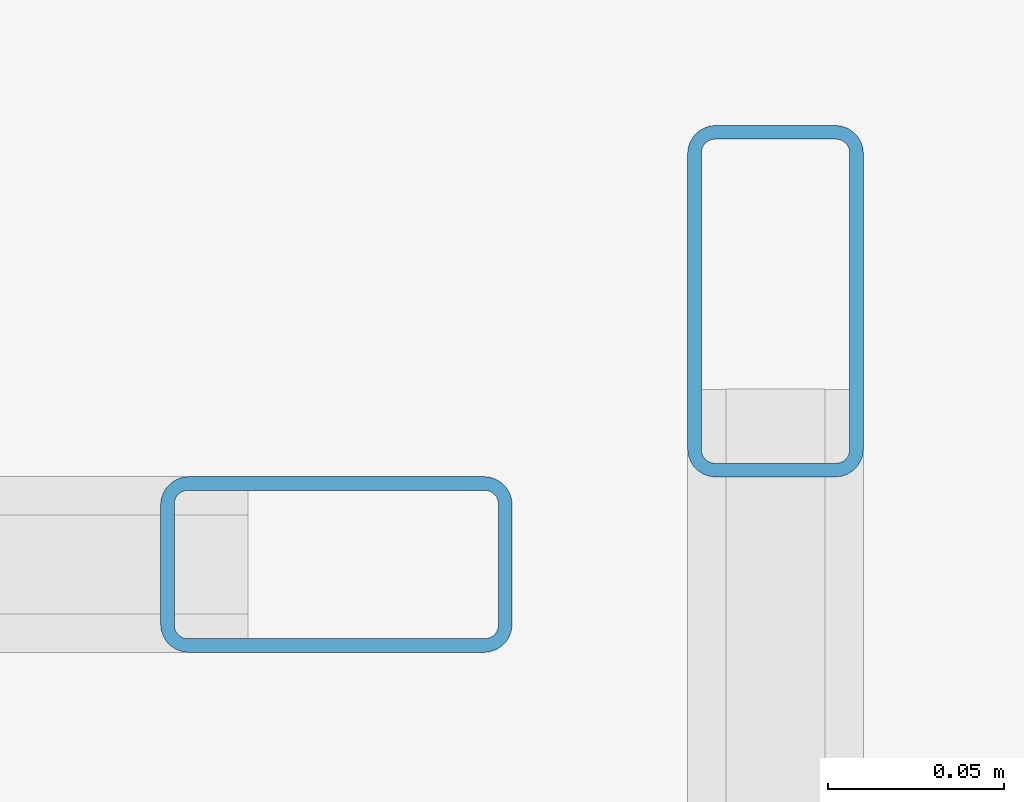
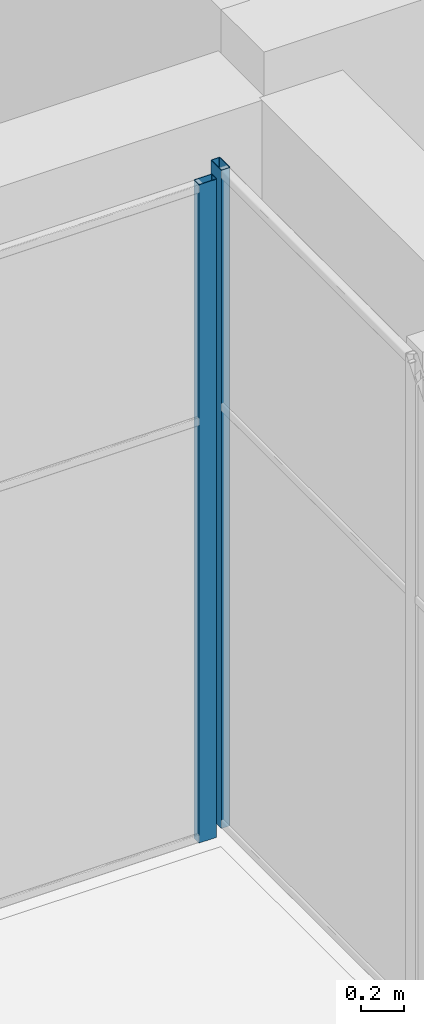
# One storey, part 6 of 32: 2 members, 2 elements without a shape of their own.
"""IFC4 building model written with IfcOpenShell, lengths in metres."""

from ifc_helpers import new_model, si_unit, direction, frame, origin, origin_2d, place, context, subcontext, project, spatial, hollow_rectangle, extrude, material, layer, layer_set, material_profile, profile_set, type_object, element, aggregate, save


model = new_model("IFC4")

# Units and contexts
model_context = context("Model", 3, precision=1e-05, world=origin(), true_north=direction((0.0, 1.0)))
body_context = subcontext(model_context, "Body", "Model", "MODEL_VIEW")
ifc_project = project(units=[si_unit("LENGTHUNIT", "METRE"), si_unit("AREAUNIT", "SQUARE_METRE"), si_unit("VOLUMEUNIT", "CUBIC_METRE"), si_unit("PLANEANGLEUNIT", "RADIAN"), si_unit("MASSUNIT", "GRAM", prefix="KILO")], contexts=[model_context])

# Site, building, storey
site_placement = place(None, origin())
site = spatial("IfcSite", under=ifc_project, at=site_placement, CompositionType="ELEMENT")
building_placement = place(site_placement, origin())
building = spatial("IfcBuilding", under=site, at=building_placement, Name="Tuart Plaza Theatre", CompositionType="ELEMENT")
storey_placement = place(building_placement, frame((0.0, 0.0, 41.5)))
storey = spatial("IfcBuildingStorey", under=building, at=storey_placement, Name="L10", CompositionType="ELEMENT", Elevation=41.5)

# Curtain wall, member
ifc_material_1 = material(Name="Aluminium and glass", Category="aluminium")
ifc_layer = layer(ifc_material_1, 0.10009765625)
ifc_layer_set = layer_set([ifc_layer], Name="CURTAIN WALL 2000 module")
curtain_wall_type = type_object("IfcCurtainWallType", Name="CURTAIN WALL 2000 module", PredefinedType="NOTDEFINED", material=ifc_layer_set)
curtain_wall_1_placement = place(storey_placement, origin())
curtain_wall_1 = element("IfcCurtainWall", 1, at=curtain_wall_1_placement, inside=storey, type_object=curtain_wall_type, Name="CW109", PredefinedType="NOTDEFINED")
ifc_material_2 = material(Name="Aluminium 6063-T5", Category="aluminium")
ifc_material_profile = material_profile(ifc_material_2, hollow_rectangle(XDim=0.050048828125, YDim=0.10009765625, WallThickness=0.00390625, InnerFilletRadius=0.00390625, OuterFilletRadius=0.008056640625, at=origin_2d()), Name="RHS 100x50x4")
ifc_profile_set = profile_set([ifc_material_profile], Name="Aluminium 6063-T5")
member_type = type_object("IfcMemberType", Name="MULLION RHS 100x50x4", PredefinedType="MULLION", material=ifc_profile_set)
member_1_placement = place(storey_placement, frame((122.22509765625, 64.35009765625, 0.0), z_axis=(0.0, 0.0, 1.0), x_axis=(0.0, 1.0, 0.0)))
member_1 = element("IfcMember", 2, at=member_1_placement, type_object=member_type, Name="CW109 mullion 2", PredefinedType="MULLION", context=body_context, shape_type="SweptSolid", body=[
    extrude(hollow_rectangle(XDim=0.050048828125, YDim=0.10009765625, WallThickness=0.00390625, InnerFilletRadius=0.00390625, OuterFilletRadius=0.008056640625, at=origin_2d()), origin(), (0.0, 0.0, 1.0), 3.75),
])
aggregate(curtain_wall_1, [member_1])

curtain_wall_2_placement = place(storey_placement, origin())
curtain_wall_2 = element("IfcCurtainWall", 3, at=curtain_wall_2_placement, inside=storey, type_object=curtain_wall_type, Name="CW110", PredefinedType="NOTDEFINED")
member_2_placement = place(storey_placement, frame((122.35009765625, 64.425048828125, 0.0), z_axis=(0.0, 0.0, 1.0), x_axis=(1.0, 0.0, 0.0)))
member_2 = element("IfcMember", 4, at=member_2_placement, type_object=member_type, Name="CW110 mullion 1", PredefinedType="MULLION", context=body_context, shape_type="SweptSolid", body=[
    extrude(hollow_rectangle(XDim=0.050048828125, YDim=0.10009765625, WallThickness=0.00390625, InnerFilletRadius=0.00390625, OuterFilletRadius=0.008056640625, at=origin_2d()), origin(), (0.0, 0.0, 1.0), 3.75),
])
aggregate(curtain_wall_2, [member_2])

save(model, "model.ifc")
